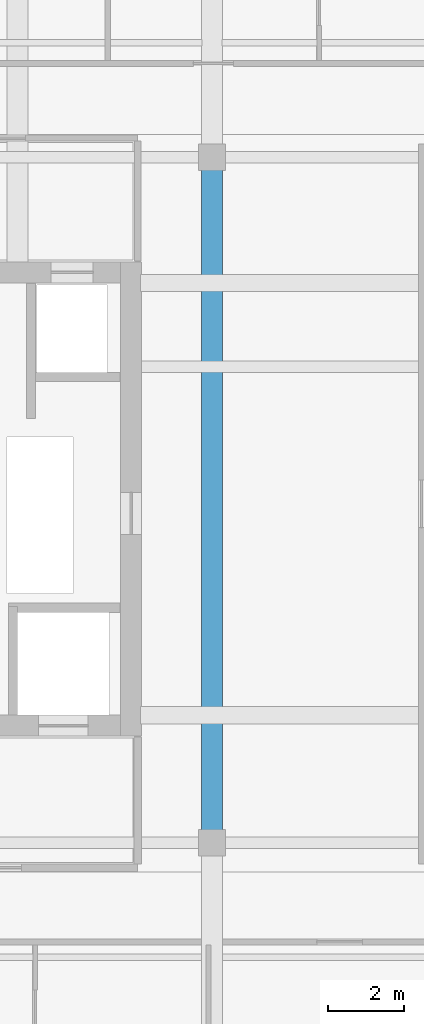
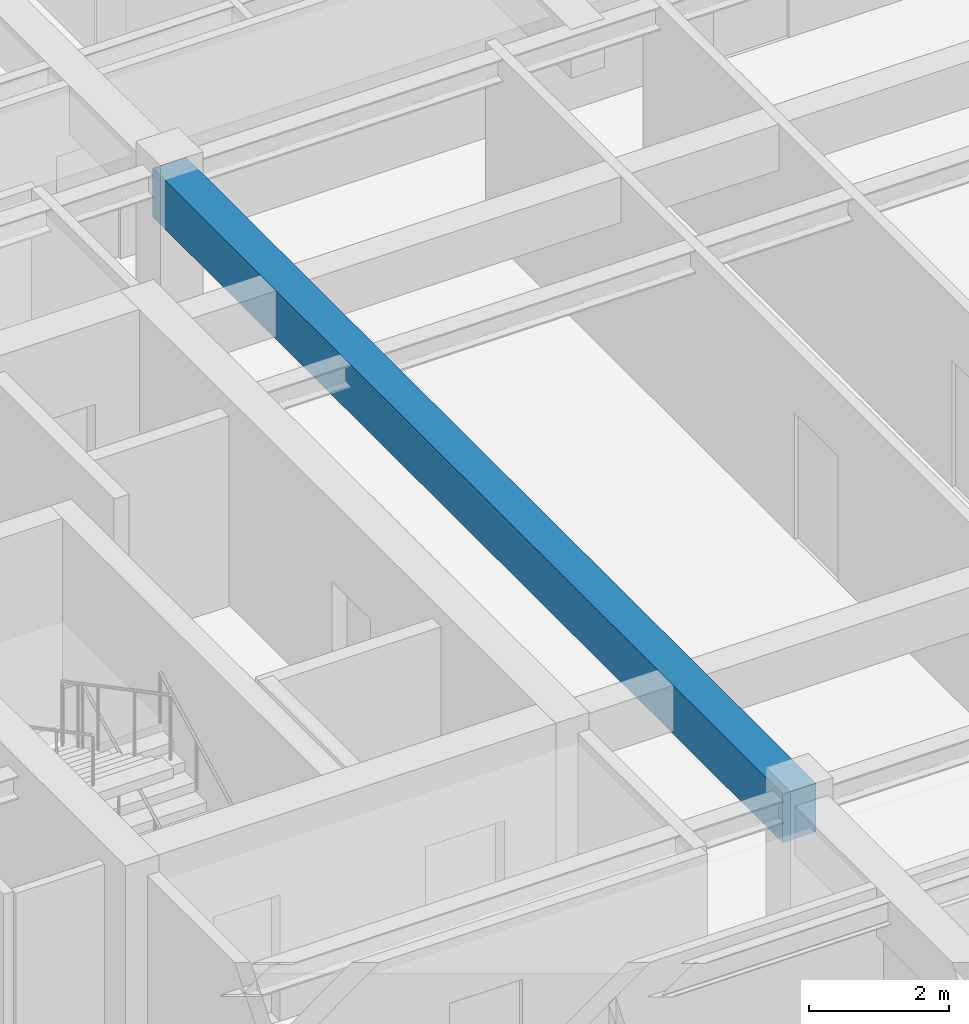
# One storey, part 3 of 14: 1 beam.
"""IFC4 building model written with IfcOpenShell, lengths in metres."""

from ifc_helpers import new_model, si_unit, direction, frame, origin, origin_2d, place, context, subcontext, project, spatial, rectangle, extrude, source, transform, mapped, material, material_profile, profile_set, type_object, element, save


model = new_model("IFC4")

# Units and contexts
model_context = context("Model", 3, precision=1e-05, world=origin(), true_north=direction((0.0, 1.0)))
body_context = subcontext(model_context, "Body", "Model", "MODEL_VIEW")
ifc_project = project(units=[si_unit("LENGTHUNIT", "METRE"), si_unit("AREAUNIT", "SQUARE_METRE"), si_unit("VOLUMEUNIT", "CUBIC_METRE"), si_unit("PLANEANGLEUNIT", "RADIAN"), si_unit("MASSUNIT", "GRAM", prefix="KILO")], contexts=[model_context])

# Site, building, storey
site_placement = place(None, origin())
site = spatial("IfcSite", under=ifc_project, at=site_placement, CompositionType="ELEMENT")
building_placement = place(site_placement, origin())
building = spatial("IfcBuilding", under=site, at=building_placement, Name="Khoralis Quay Care Tower", CompositionType="ELEMENT")
storey_placement = place(building_placement, frame((0.0, 0.0, 274.5)))
storey = spatial("IfcBuildingStorey", under=building, at=storey_placement, Name="L72", CompositionType="ELEMENT", Elevation=274.5)

# Beam
ifc_material = material(Name="Concrete C50/60", Category="concrete")
ifc_material_profile = material_profile(ifc_material, rectangle(XDim=0.550048828125, YDim=0.85009765625, at=origin_2d()), Name="Concrete C50/60")
ifc_profile_set = profile_set([ifc_material_profile], Name="Concrete C50/60")
beam_type = type_object("IfcBeamType", Name="BM-RC550X850", PredefinedType="BEAM", material=ifc_profile_set)
shared_shape = source(origin(), body_context, "Body", "SweptSolid", [
    extrude(rectangle(XDim=0.550048828125, YDim=0.85009765625, at=origin_2d()), origin(), (0.0, 0.0, 1.0), 18.0),
])
beam_placement = place(storey_placement, frame((17.10009765625, 12.0, 2.89501953125), z_axis=(0.0, 1.0, 0.0), x_axis=(-1.0, 0.0, 0.0)))
element("IfcBeam", 1, at=beam_placement, inside=storey, type_object=beam_type, Name="BM-TGSW-L72", PredefinedType="BEAM", context=body_context, shape_type="MappedRepresentation", body=[
    mapped(shared_shape, transform((0.0, 0.0, 0.0), scale=1.0)),
])

save(model, "model.ifc")
